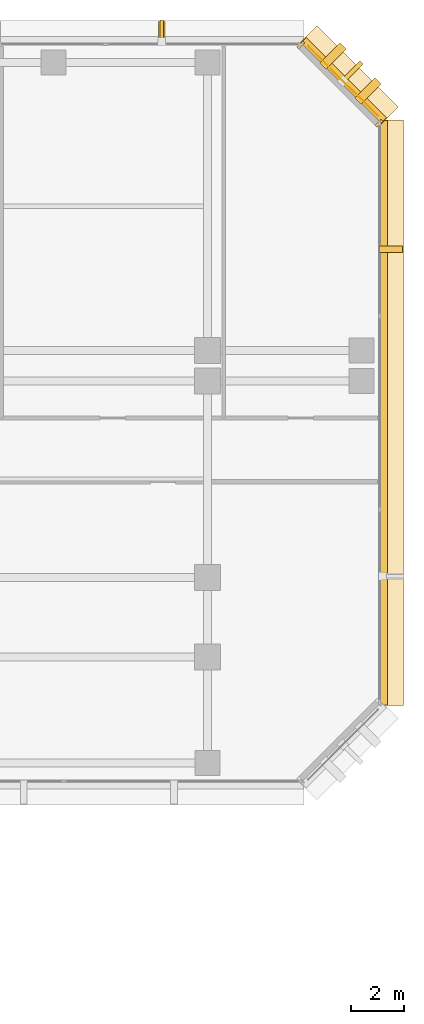
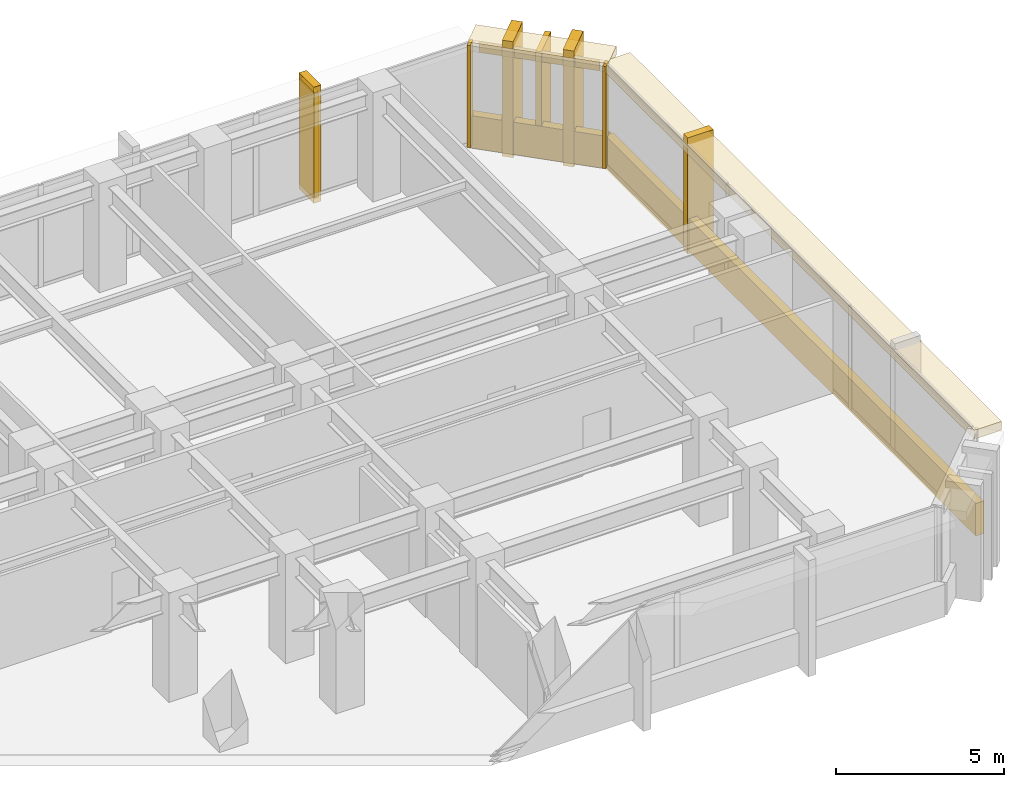
# One storey, part 13 of 13: 11 coverings, 2 shading devices.
"""IFC4 building model written with IfcOpenShell, lengths in metres."""

from ifc_helpers import new_model, si_unit, direction, frame, origin, origin_2d, place, context, subcontext, project, spatial, rectangle, extrude, material, layer, layer_set, material_profile, profile_set, type_object, element, save


model = new_model("IFC4")

# Units and contexts
model_context = context("Model", 3, precision=1e-05, world=origin(), true_north=direction((0.0, 1.0)))
body_context = subcontext(model_context, "Body", "Model", "MODEL_VIEW")
ifc_project = project(units=[si_unit("LENGTHUNIT", "METRE"), si_unit("AREAUNIT", "SQUARE_METRE"), si_unit("VOLUMEUNIT", "CUBIC_METRE"), si_unit("PLANEANGLEUNIT", "RADIAN"), si_unit("MASSUNIT", "GRAM", prefix="KILO")], contexts=[model_context])

# Site, building, storey
site_placement = place(None, origin())
site = spatial("IfcSite", under=ifc_project, at=site_placement, CompositionType="ELEMENT")
building_placement = place(site_placement, origin())
building = spatial("IfcBuilding", under=site, at=building_placement, Name="Kefirva Bronze Tower", CompositionType="ELEMENT")
storey_placement = place(building_placement, frame((0.0, 0.0, 38.280029296875)))
storey = spatial("IfcBuildingStorey", under=building, at=storey_placement, Name="L08", CompositionType="ELEMENT", Elevation=38.280029296875)

# Coverings
ifc_material = material(Name="Bronze anodised aluminium", Category="aluminium")
ifc_layer_1 = layer(ifc_material, 0.02001953125, Name="Bronze anodised aluminium")
ifc_layer_set_1 = layer_set([ifc_layer_1], Name="Bronze anodised aluminium")
covering_type_1 = type_object("IfcCoveringType", Name="Anodised Bronze Spandrel Cladding 20mm", PredefinedType="CLADDING", material=ifc_layer_set_1)
covering_1_placement = place(storey_placement, frame((56.0400390625, 32.0, -0.16015625), z_axis=(0.0, 0.0, 1.0), x_axis=(0.0, 1.0, 0.0)))
element("IfcCovering", 1, at=covering_1_placement, inside=storey, type_object=covering_type_1, Name="L08 Streamline Horizontal Spandrel Band 10", PredefinedType="CLADDING", context=body_context, shape_type="SweptSolid", body=[
    extrude(rectangle(XDim=22.0400390625, YDim=0.280029296875, at=origin_2d()), origin(), (0.0, 0.0, 1.0), 1.179931640625),
])
covering_2_placement = place(storey_placement, frame((54.507080078125, 44.507080078125, 3.2900390625), z_axis=(0.0, 0.0, 1.0), x_axis=(-0.707106781187, 0.707106781187, 0.0)))
element("IfcCovering", 2, at=covering_2_placement, inside=storey, type_object=covering_type_1, Name="L08 Bronze Spandrel Cladding 8", PredefinedType="CLADDING", context=body_context, shape_type="SweptSolid", body=[
    extrude(rectangle(XDim=3.719482421875, YDim=0.02001953125, at=origin_2d()), origin(), (0.0, 0.0, 1.0), 0.39990234375),
])
for number, where, z_axis, x_axis, name in (
    (3, (55.862060546875, 42.91162109375, 0.0), (0.0, 0.0, 1.0), (-0.707106781187, 0.707106781187, 0.0), "L08 Facade Joint Closure Panel 8S"),
    (4, (52.91162109375, 45.862060546875, 0.0), (0.0, 0.0, 1.0), (-0.707106781187, 0.707106781187, 0.0), "L08 Facade Joint Closure Panel 8E"),
):
    element("IfcCovering", number, at=place(storey_placement, frame(where, z_axis=z_axis, x_axis=x_axis)), inside=storey, type_object=covering_type_1, Name=name, PredefinedType="CLADDING", context=body_context, shape_type="SweptSolid", body=[
        extrude(rectangle(XDim=0.10009765625, YDim=0.320068359375, at=origin_2d()), origin(), (0.0, 0.0, 1.0), 3.7099609375),
    ])
covering_3_placement = place(storey_placement, frame((54.5283203125, 44.5283203125, -0.16015625), z_axis=(0.0, 0.0, 1.0), x_axis=(-0.707106781187, 0.707106781187, 0.0)))
element("IfcCovering", 5, at=covering_3_placement, inside=storey, type_object=covering_type_1, Name="L08 Streamline Horizontal Spandrel Band 11", PredefinedType="CLADDING", context=body_context, shape_type="SweptSolid", body=[
    extrude(rectangle(XDim=4.28271484375, YDim=0.280029296875, at=origin_2d()), origin(), (0.0, 0.0, 1.0), 1.179931640625),
])

# Shading device
ifc_material_profile_1 = material_profile(ifc_material, rectangle(XDim=0.179931640625, YDim=1.080078125, at=origin_2d()), Name="BRONZE BUTTRESS FIN 180x1080")
ifc_profile_set_1 = profile_set([ifc_material_profile_1], Name="Bronze anodised aluminium")
shading_device_type_1 = type_object("IfcShadingDeviceType", Name="Chamfered Corner Buttress Bronze Fin 1080mm", PredefinedType="USERDEFINED", material=ifc_profile_set_1)
shading_device_1_placement = place(storey_placement, frame((54.8251953125, 44.8251953125, -0.14013671875), z_axis=(0.0, 0.0, 1.0), x_axis=(-0.707106781187, 0.707106781187, 0.0)))
element("IfcShadingDevice", 6, at=shading_device_1_placement, inside=storey, type_object=shading_device_type_1, Name="L08 Chamfered Corner Buttress Fin 18", ObjectType="VERTICAL FIN", PredefinedType="USERDEFINED", context=body_context, shape_type="SweptSolid", body=[
    extrude(rectangle(XDim=0.179931640625, YDim=1.080078125, at=origin_2d()), origin(), (0.0, 0.0, 1.0), 3.85009765625),
])

# Coverings
ifc_layer_2 = layer(ifc_material, 0.179931640625, Name="Bronze anodised aluminium")
ifc_layer_set_2 = layer_set([ifc_layer_2], Name="Bronze anodised aluminium")
covering_type_2 = type_object("IfcCoveringType", Name="Streamline Bronze Sunshade Eyebrow Cladding 180mm", PredefinedType="CLADDING", material=ifc_layer_set_2)
covering_4_placement = place(storey_placement, frame((56.31005859375, 32.0, 3.39013671875), z_axis=(0.0, 0.0, 1.0), x_axis=(0.0, 1.0, 0.0)))
element("IfcCovering", 7, at=covering_4_placement, inside=storey, type_object=covering_type_2, Name="L08 Streamline Bronze Sunshade Eyebrow 10", PredefinedType="CLADDING", context=body_context, shape_type="SweptSolid", body=[
    extrude(rectangle(XDim=22.080078125, YDim=0.93994140625, at=origin_2d()), origin(), (0.0, 0.0, 1.0), 0.320068359375),
])
covering_5_placement = place(storey_placement, frame((54.71923828125, 44.71923828125, 3.39013671875), z_axis=(0.0, 0.0, 1.0), x_axis=(-0.707106781187, 0.707106781187, 0.0)))
element("IfcCovering", 8, at=covering_5_placement, inside=storey, type_object=covering_type_2, Name="L08 Streamline Bronze Sunshade Eyebrow 11", PredefinedType="CLADDING", context=body_context, shape_type="SweptSolid", body=[
    extrude(rectangle(XDim=4.322509765625, YDim=0.93994140625, at=origin_2d()), origin(), (0.0, 0.0, 1.0), 0.320068359375),
])
ifc_layer_3 = layer(ifc_material, 0.260009765625, Name="Bronze anodised aluminium")
ifc_layer_set_3 = layer_set([ifc_layer_3], Name="Bronze anodised aluminium")
covering_type_3 = type_object("IfcCoveringType", Name="Unbroken Bronze Buttress Fin Cladding 260mm", PredefinedType="CLADDING", material=ifc_layer_set_3)
covering_6_placement = place(storey_placement, frame((56.300048828125, 38.159912109375, -0.25), z_axis=(0.0, 0.0, 1.0), x_axis=(0.0, 1.0, 0.0)))
element("IfcCovering", 9, at=covering_6_placement, inside=storey, type_object=covering_type_3, Name="L08 Unbroken Vertical Bronze Rib Fin 16", PredefinedType="CLADDING", context=body_context, shape_type="SweptSolid", body=[
    extrude(rectangle(XDim=0.260009765625, YDim=0.8798828125, at=origin_2d()), origin(), (0.0, 0.0, 1.0), 4.2099609375),
])
for number, where, z_axis, x_axis, name in (
    (10, (55.44287109375, 44.122802734375, -0.25), (0.0, 0.0, 1.0), (-0.707106781187, 0.707106781187, 0.0), "L08 Chamfered Corner Buttress Fin Cladding 17"),
    (11, (54.122802734375, 45.44287109375, -0.25), (0.0, 0.0, 1.0), (-0.707106781187, 0.707106781187, 0.0), "L08 Chamfered Corner Buttress Fin Cladding 18"),
):
    element("IfcCovering", number, at=place(storey_placement, frame(where, z_axis=z_axis, x_axis=x_axis)), inside=storey, type_object=covering_type_3, Name=name, PredefinedType="CLADDING", context=body_context, shape_type="SweptSolid", body=[
        extrude(rectangle(XDim=0.340087890625, YDim=1.080078125, at=origin_2d()), origin(), (0.0, 0.0, 1.0), 4.2099609375),
    ])
covering_7_placement = place(storey_placement, frame((47.6728515625, 46.300048828125, -0.25), z_axis=(0.0, 0.0, 1.0), x_axis=(-1.0, 0.0, 0.0)))
element("IfcCovering", 12, at=covering_7_placement, inside=storey, type_object=covering_type_3, Name="L08 Unbroken Vertical Bronze Rib Fin 19", PredefinedType="CLADDING", context=body_context, shape_type="SweptSolid", body=[
    extrude(rectangle(XDim=0.260009765625, YDim=0.8798828125, at=origin_2d()), origin(), (0.0, 0.0, 1.0), 4.2099609375),
])

# Shading device
ifc_material_profile_2 = material_profile(ifc_material, rectangle(XDim=0.139892578125, YDim=0.8798828125, at=origin_2d()), Name="BRONZE FIN 140x880")
ifc_profile_set_2 = profile_set([ifc_material_profile_2], Name="Bronze anodised aluminium")
shading_device_type_2 = type_object("IfcShadingDeviceType", Name="Unbroken Vertical Bronze Facade Fin 880mm", PredefinedType="USERDEFINED", material=ifc_profile_set_2)
shading_device_2_placement = place(storey_placement, frame((47.6728515625, 46.360107421875, -0.14013671875), z_axis=(0.0, 0.0, 1.0), x_axis=(-1.0, 0.0, 0.0)))
element("IfcShadingDevice", 13, at=shading_device_2_placement, inside=storey, type_object=shading_device_type_2, Name="L08 Vertical Bronze Rib Fin 19", ObjectType="VERTICAL FIN", PredefinedType="USERDEFINED", context=body_context, shape_type="SweptSolid", body=[
    extrude(rectangle(XDim=0.139892578125, YDim=0.8798828125, at=origin_2d()), origin(), (0.0, 0.0, 1.0), 3.85009765625),
])

save(model, "model.ifc")
